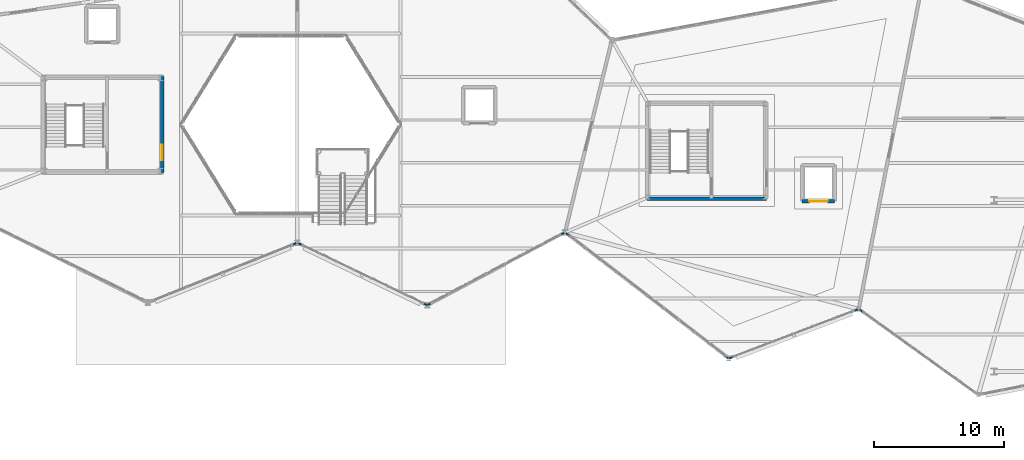
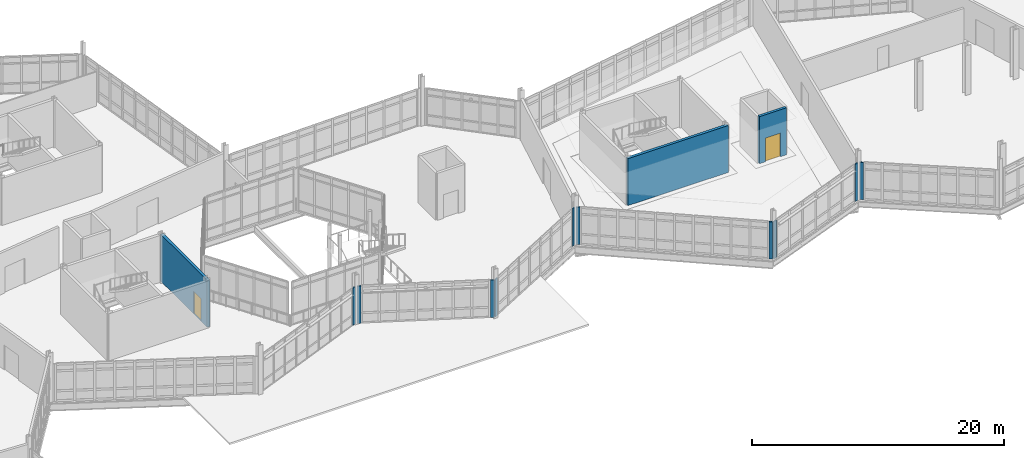
# One storey, part 108 of 134: 13 walls, 2 doors, 2 openings.
"""IFC4 building model written with IfcOpenShell, lengths in metres."""

from ifc_helpers import new_model, si_unit, direction, frame, frame_2d, origin, place, context, subcontext, project, spatial, rectangle, extrude, material, layer, layer_set, type_object, element, fill, save


model = new_model("IFC4")

# Units and contexts
model_context = context("Model", 3, precision=1e-05, world=origin(), true_north=direction((0.0, 1.0)))
body_context = subcontext(model_context, "Body", "Model", "MODEL_VIEW")
ifc_project = project(units=[si_unit("LENGTHUNIT", "METRE"), si_unit("AREAUNIT", "SQUARE_METRE"), si_unit("VOLUMEUNIT", "CUBIC_METRE"), si_unit("PLANEANGLEUNIT", "RADIAN"), si_unit("MASSUNIT", "GRAM", prefix="KILO")], contexts=[model_context])

# Site, building, storey
site_placement = place(None, origin())
site = spatial("IfcSite", under=ifc_project, at=site_placement, CompositionType="ELEMENT")
building_placement = place(site_placement, origin())
building = spatial("IfcBuilding", under=site, at=building_placement, Name="Tameran Prism Museum", CompositionType="ELEMENT")
storey_placement = place(building_placement, frame((0.0, 0.0, 5.39990234375)))
storey = spatial("IfcBuildingStorey", under=building, at=storey_placement, Name="L01", CompositionType="ELEMENT", Elevation=5.39990234375)

# Walls
ifc_material_1 = material(Name="Precast Concrete N40 (40 MPa)", Category="concrete")
ifc_layer_1 = layer(ifc_material_1, 0.094970703125)
ifc_layer_set_1 = layer_set([ifc_layer_1])
wall_type_1 = type_object("IfcWallType", Name="EW-CLOS-095", PredefinedType="SOLIDWALL", material=ifc_layer_set_1)
for number, where, z_axis, x_axis, name in (
    (1, (77.405029296875, 27.362060546875, 0.0), (0.0, 0.0, 1.0), (-0.928967856381, -0.370160400111, 0.0), "Facade Corner Closure EW-0187"),
    (2, (87.4619140625, 22.617919921875, 0.0), (0.0, 0.0, 1.0), (-0.901906089125, 0.431932178008, 0.0), "Facade Corner Closure EW-0191"),
):
    element("IfcWall", number, at=place(storey_placement, frame(where, z_axis=z_axis, x_axis=x_axis)), inside=storey, type_object=wall_type_1, Name=name, PredefinedType="SOLIDWALL", context=body_context, shape_type="SweptSolid", body=[
        extrude(rectangle(XDim=0.30810546875, YDim=0.094970703125, at=frame_2d((0.154052734375, 0.0))), origin(), (0.0, 0.0, 1.0), 3.6201171875),
    ])
wall_1_placement = place(storey_placement, frame((77.8701171875, 27.222900390625, 0.0), z_axis=(0.0, 0.0, 1.0), x_axis=(-0.902053790555, 0.431623631126, 0.0)))
element("IfcWall", 3, at=wall_1_placement, inside=storey, type_object=wall_type_1, Name="Facade Corner Closure EW-0192", PredefinedType="SOLIDWALL", context=body_context, shape_type="SweptSolid", body=[
    extrude(rectangle(XDim=0.308349609375, YDim=0.094970703125, at=frame_2d((0.154296875, 0.0))), origin(), (0.0, 0.0, 1.0), 3.6201171875),
])
wall_2_placement = place(storey_placement, frame((98.010009765625, 28.152099609375, 0.0), z_axis=(0.0, 0.0, 1.0), x_axis=(-0.885021600209, -0.465549962049, 0.0)))
element("IfcWall", 4, at=wall_2_placement, inside=storey, type_object=wall_type_1, Name="Facade Corner Closure EW-0193", PredefinedType="SOLIDWALL", context=body_context, shape_type="SweptSolid", body=[
    extrude(rectangle(XDim=0.307373046875, YDim=0.094970703125, at=frame_2d((0.15380859375, 0.0))), origin(), (0.0, 0.0, 1.0), 3.6201171875),
])
wall_3_placement = place(storey_placement, frame((87.80908203125, 22.762939453125, 0.0), z_axis=(0.0, 0.0, 1.0), x_axis=(-0.885348834604, -0.464927350308, 0.0)))
element("IfcWall", 5, at=wall_3_placement, inside=storey, type_object=wall_type_1, Name="Facade Corner Closure EW-0194", PredefinedType="SOLIDWALL", context=body_context, shape_type="SweptSolid", body=[
    extrude(rectangle(XDim=0.30712890625, YDim=0.094970703125, at=frame_2d((0.153564453125, 0.0))), origin(), (0.0, 0.0, 1.0), 3.6201171875),
])
wall_4_placement = place(storey_placement, frame((110.6669921875, 18.52587890625, 0.0), z_axis=(0.0, 0.0, 1.0), x_axis=(-0.79356800352, 0.608481572268, 0.0)))
element("IfcWall", 6, at=wall_4_placement, inside=storey, type_object=wall_type_1, Name="Facade Corner Closure EW-0205", PredefinedType="SOLIDWALL", context=body_context, shape_type="SweptSolid", body=[
    extrude(rectangle(XDim=0.307373046875, YDim=0.094970703125, at=frame_2d((0.15380859375, 0.0))), origin(), (0.0, 0.0, 1.0), 3.6201171875),
])
wall_5_placement = place(storey_placement, frame((98.424072265625, 27.949951171875, 0.0), z_axis=(0.0, 0.0, 1.0), x_axis=(-0.793861838141, 0.608098168016, 0.0)))
element("IfcWall", 7, at=wall_5_placement, inside=storey, type_object=wall_type_1, Name="Facade Corner Closure EW-0206", PredefinedType="SOLIDWALL", context=body_context, shape_type="SweptSolid", body=[
    extrude(rectangle(XDim=0.3076171875, YDim=0.094970703125, at=frame_2d((0.15380859375, 0.0))), origin(), (0.0, 0.0, 1.0), 3.6201171875),
])
wall_6_placement = place(storey_placement, frame((120.60498046875, 22.263916015625, 0.0), z_axis=(0.0, 0.0, 1.0), x_axis=(-0.935413842844, -0.353554723651, 0.0)))
element("IfcWall", 8, at=wall_6_placement, inside=storey, type_object=wall_type_1, Name="Facade Corner Closure EW-0207", PredefinedType="SOLIDWALL", context=body_context, shape_type="SweptSolid", body=[
    extrude(rectangle(XDim=0.307861328125, YDim=0.094970703125, at=frame_2d((0.15380859375, 0.0))), origin(), (0.0, 0.0, 1.0), 3.6201171875),
])
for number, where, z_axis, x_axis, name in (
    (9, (111.027099609375, 18.6240234375, 0.0), (0.0, 0.0, 1.0), (-0.935151489811, -0.354248064361, 0.0), "Facade Corner Closure EW-0208"),
    (10, (121.032958984375, 22.06103515625, 0.0), (0.0, 0.0, 1.0), (-0.811639565077, 0.584158554162, 0.0), "Facade Corner Closure EW-0214"),
):
    element("IfcWall", number, at=place(storey_placement, frame(where, z_axis=z_axis, x_axis=x_axis)), inside=storey, type_object=wall_type_1, Name=name, PredefinedType="SOLIDWALL", context=body_context, shape_type="SweptSolid", body=[
        extrude(rectangle(XDim=0.30810546875, YDim=0.094970703125, at=frame_2d((0.154052734375, 0.0))), origin(), (0.0, 0.0, 1.0), 3.6201171875),
    ])

# Wall, opening, door
ifc_material_2 = material(Name="Concrete N40 (40 MPa)", Category="concrete")
ifc_layer_2 = layer(ifc_material_2, 0.25)
ifc_layer_set_2 = layer_set([ifc_layer_2])
wall_type_2 = type_object("IfcWallType", Name="IW-COR-250", PredefinedType="SHEAR", material=ifc_layer_set_2)
wall_7_placement = place(storey_placement, frame((67.10009765625, 40.199951171875, 0.0), z_axis=(0.0, 0.0, 1.0), x_axis=(0.0, -1.0, 0.0)))
wall_7 = element("IfcWall", 11, at=wall_7_placement, inside=storey, type_object=wall_type_2, Name="Core Shear Wall CW-3-L01-E", PredefinedType="SHEAR", context=body_context, shape_type="SweptSolid", body=[
    extrude(rectangle(XDim=7.39990234375, YDim=0.25, at=frame_2d((3.699951171875, 0.0))), origin(), (0.0, 0.0, 1.0), 4.56005859375),
])
opening_1_placement = place(wall_7_placement, frame((5.25, 0.0, 0.0)))
opening_1 = element("IfcOpeningElement", 12, at=opening_1_placement, cuts=wall_7, Name="Opening FD-0215", PredefinedType="OPENING", context=body_context, shape_type="SweptSolid", body=[
    extrude(rectangle(XDim=1.199951171875, YDim=2.199951171875, at=frame_2d((0.60009765625, 1.10009765625))), frame((0.0, 0.135009765625, 0.0), z_axis=(0.0, -1.0, 0.0), x_axis=(1.0, 0.0, 0.0)), (0.0, 0.0, 1.0), 0.27001953125),
])
ifc_material_3 = material(Name="Fire-Rated Steel Door Leaf and Frame", Category="steel")
door_type_1 = type_object("IfcDoorType", Name="DR-FD-120A", OperationType="NOTDEFINED", PredefinedType="DOOR", material=ifc_material_3)
door_1_placement = place(opening_1_placement, origin())
door_1 = element("IfcDoor", 13, at=door_1_placement, inside=storey, type_object=door_type_1, Name="Core Fire Door FD-0215", OperationType="SINGLE_SWING_LEFT", OverallHeight=2.199951171875, OverallWidth=1.199951171875, PredefinedType="DOOR", context=body_context, shape_type="SweptSolid", body=[
    extrude(rectangle(XDim=1.199951171875, YDim=2.199951171875, at=frame_2d((0.60009765625, 1.10009765625))), frame((0.0, 0.02490234375, 0.0), z_axis=(0.0, -1.0, 0.0), x_axis=(1.0, 0.0, 0.0)), (0.0, 0.0, 1.0), 0.050048828125),
])
fill(opening_1, door_1)

# Wall
wall_8_placement = place(storey_placement, frame((113.60009765625, 30.800048828125, 0.0), z_axis=(0.0, 0.0, 1.0), x_axis=(-1.0, 0.0, 0.0)))
element("IfcWall", 14, at=wall_8_placement, inside=storey, type_object=wall_type_2, Name="Core Shear Wall CW-4-L01-S", PredefinedType="SHEAR", context=body_context, shape_type="SweptSolid", body=[
    extrude(rectangle(XDim=9.2001953125, YDim=0.25, at=frame_2d((4.60009765625, 0.0))), origin(), (0.0, 0.0, 1.0), 4.56005859375),
])

# Wall, opening, door
ifc_material_4 = material(Name="Concrete N40 (40 MPa)", Category="concrete")
ifc_layer_3 = layer(ifc_material_4, 0.239990234375)
ifc_layer_set_3 = layer_set([ifc_layer_3])
wall_type_3 = type_object("IfcWallType", Name="IW-LFT-240", PredefinedType="SHEAR", material=ifc_layer_set_3)
wall_9_placement = place(storey_placement, frame((118.85009765625, 30.60009765625, 0.0), z_axis=(0.0, 0.0, 1.0), x_axis=(-1.0, 0.0, 0.0)))
wall_9 = element("IfcWall", 15, at=wall_9_placement, inside=storey, type_object=wall_type_3, Name="Lift Shaft Wall LW-PL03-L01S", PredefinedType="SHEAR", context=body_context, shape_type="SweptSolid", body=[
    extrude(rectangle(XDim=2.5, YDim=0.239990234375, at=frame_2d((1.25, 0.0))), origin(), (0.0, 0.0, 1.0), 4.56005859375),
])
opening_2_placement = place(wall_9_placement, frame((0.550048828125, 0.0, 0.0)))
opening_2 = element("IfcOpeningElement", 16, at=opening_2_placement, cuts=wall_9, Name="Opening LD-PL03-L01", PredefinedType="OPENING", context=body_context, shape_type="SweptSolid", body=[
    extrude(rectangle(XDim=1.39990234375, YDim=2.300048828125, at=frame_2d((0.699951171875, 1.14990234375))), frame((0.0, 0.1298828125, 0.0), z_axis=(0.0, -1.0, 0.0), x_axis=(1.0, 0.0, 0.0)), (0.0, 0.0, 1.0), 0.260009765625),
])
ifc_material_5 = material(Name="Fire-Rated Steel Door Leaf and Frame", Category="steel")
door_type_2 = type_object("IfcDoorType", Name="DR-LD-PL2", OperationType="SLIDING_TO_LEFT", PredefinedType="DOOR", material=ifc_material_5)
door_2_placement = place(opening_2_placement, origin())
door_2 = element("IfcDoor", 17, at=door_2_placement, inside=storey, type_object=door_type_2, Name="Passenger Lift PL-03 Landing Door L01", OperationType="SLIDING_TO_LEFT", OverallHeight=2.300048828125, OverallWidth=1.39990234375, PredefinedType="DOOR", context=body_context, shape_type="SweptSolid", body=[
    extrude(rectangle(XDim=1.39990234375, YDim=2.300048828125, at=frame_2d((0.699951171875, 1.14990234375))), frame((0.0, 0.02490234375, 0.0), z_axis=(0.0, -1.0, 0.0), x_axis=(1.0, 0.0, 0.0)), (0.0, 0.0, 1.0), 0.050048828125),
])
fill(opening_2, door_2)

save(model, "model.ifc")
